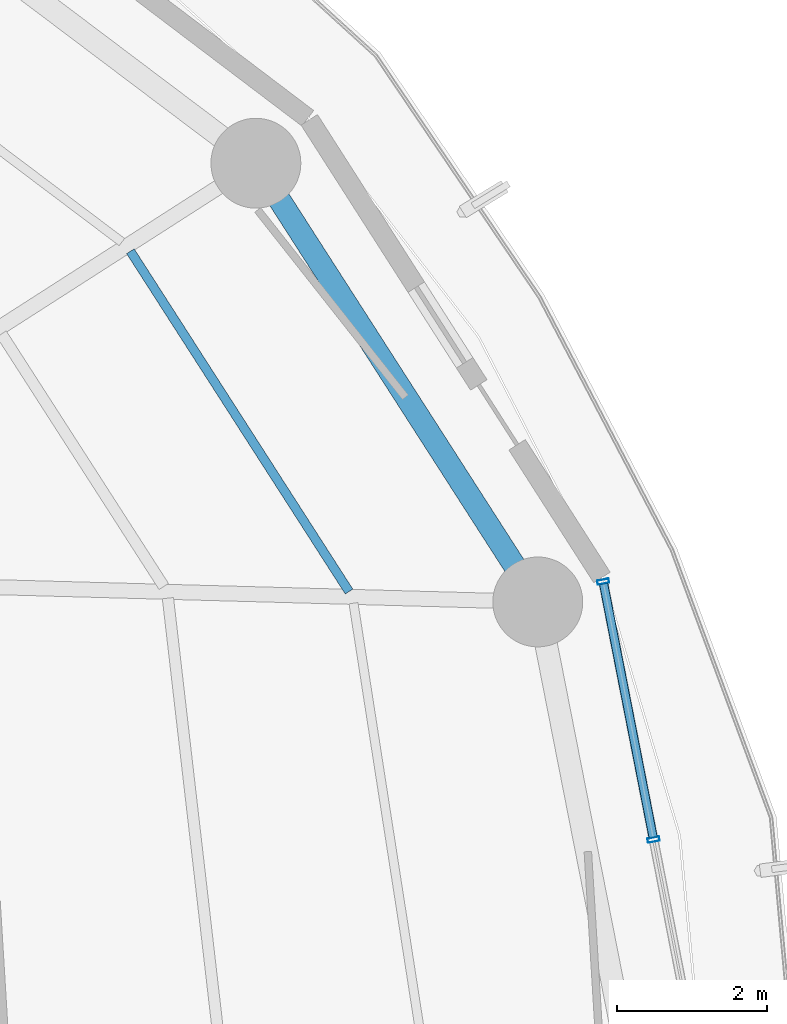
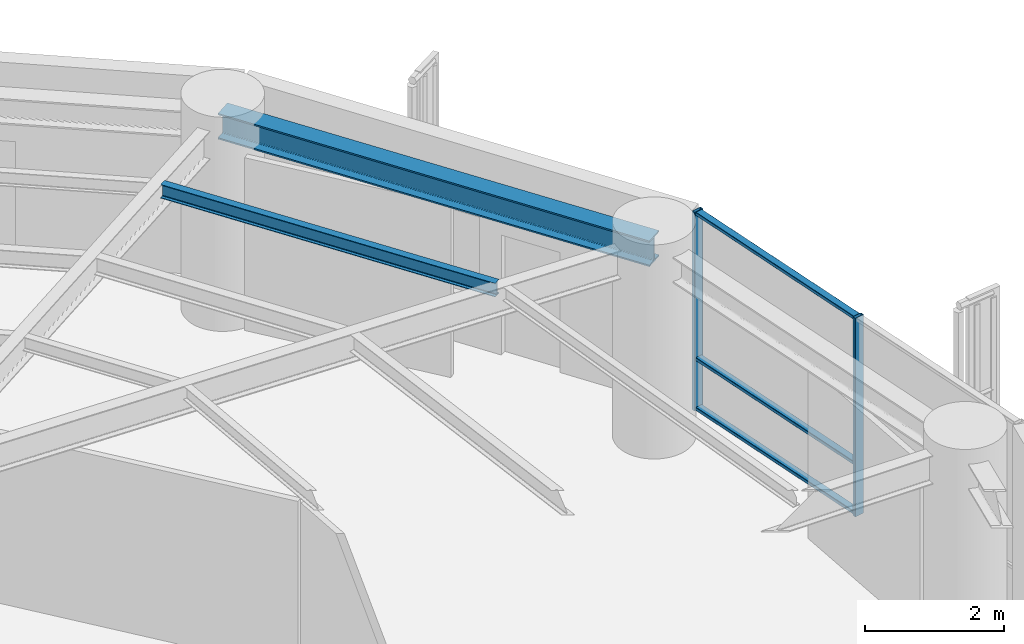
# One storey, part 15 of 27: 5 members, 2 beams, 1 element without a shape of its own.
"""IFC4 building model written with IfcOpenShell, lengths in metres."""

import ifcopenshell
import ifcopenshell.guid

model = None  # the IFC model being written
_history = None  # IfcOwnerHistory: only IFC2X3 demands one
_inside = {}  # id of a spatial element -> (the spatial element, [elements in it])
_under = {}  # id of a project, library or spatial element -> (it, [spatial elements below it])
_declared = {}  # id of a project -> (the project, [libraries it declares])
_typed = {}  # id of a type object -> (the type object, [elements of that type])
_made_of = {}  # id of a material, layer set ... -> (it, [elements and type objects made of it])


def new_model(schema):
    """Start an empty IFC model of exactly this schema.

    Asked for "IFC4X3", IfcOpenShell would pick the latest addendum, in which some entities
    have other attributes; the version numbers below select the first issue.
    IFC2X3 requires an IfcOwnerHistory on every rooted entity: one is made here for all.
    """
    global model, _history
    if schema == "IFC4X3":
        model = ifcopenshell.file(schema_version=(4, 3, 0, 0))
    else:
        model = ifcopenshell.file(schema=schema)
    _inside.clear()
    _under.clear()
    _declared.clear()
    _typed.clear()
    _made_of.clear()
    _history = None
    if model.schema == "IFC2X3":
        org = make("IfcOrganization", Name="unknown")
        user = make(
            "IfcPersonAndOrganization",
            ThePerson=make("IfcPerson", FamilyName="unknown"),
            TheOrganization=org,
        )
        app = make(
            "IfcApplication",
            ApplicationDeveloper=org,
            Version="unknown",
            ApplicationFullName="unknown",
            ApplicationIdentifier="unknown",
        )
        _history = make(
            "IfcOwnerHistory",
            OwningUser=user,
            OwningApplication=app,
            ChangeAction="ADDED",
            CreationDate=0,
        )
    return model


def make(cls, **values):
    """One entity of the class cls with the attributes given. An attribute that is None is left unset."""
    return model.create_entity(
        cls, **{name: value for name, value in values.items() if value is not None}
    )


def rooted(cls, **values):
    """An entity with a GlobalId (a new one), such as an element, a storey or a relation."""
    return make(cls, GlobalId=ifcopenshell.guid.new(), OwnerHistory=_history, **values)


def si_unit(unit_type, name, prefix=None):
    """IfcSIUnit, for example si_unit("LENGTHUNIT", "METRE", prefix="MILLI")."""
    return make("IfcSIUnit", UnitType=unit_type, Prefix=prefix, Name=name)


def assignment(units):
    """IfcUnitAssignment: the units of a project."""
    return None if units is None else make("IfcUnitAssignment", Units=units)


def point(xyz):
    """IfcCartesianPoint."""
    return None if xyz is None else make("IfcCartesianPoint", Coordinates=xyz)


def direction(xyz):
    """IfcDirection."""
    return None if xyz is None else make("IfcDirection", DirectionRatios=xyz)


def frame(location, z_axis=None, x_axis=None):
    """IfcAxis2Placement3D, a coordinate frame: its origin and axes. An axis left out is left unset."""
    return make(
        "IfcAxis2Placement3D",
        Location=point(location),
        Axis=direction(z_axis),
        RefDirection=direction(x_axis),
    )


def frame_2d(location, x_axis=None):
    """IfcAxis2Placement2D, a coordinate frame in the plane: its origin and x axis."""
    return make(
        "IfcAxis2Placement2D", Location=point(location), RefDirection=direction(x_axis)
    )


def origin():
    """The frame at (0, 0, 0) with its axes left unset."""
    return frame((0.0, 0.0, 0.0))


def origin_2d():
    """The frame at (0, 0) in the plane with its x axis left unset."""
    return frame_2d((0.0, 0.0))


def place(relative_to, where):
    """IfcLocalPlacement: puts the frame where relative to a parent placement (None: the world)."""
    return make(
        "IfcLocalPlacement", PlacementRelTo=relative_to, RelativePlacement=where
    )


def context(
    kind, dimensions, precision=None, world=None, true_north=None, identifier=None
):
    """IfcGeometricRepresentationContext, for example the 3D "Model" context."""
    return make(
        "IfcGeometricRepresentationContext",
        ContextIdentifier=identifier,
        ContextType=kind,
        CoordinateSpaceDimension=dimensions,
        Precision=precision,
        WorldCoordinateSystem=world,
        TrueNorth=true_north,
    )


def subcontext(parent, identifier, kind, view, scale=None):
    """IfcGeometricRepresentationSubContext, for example "Body" below "Model"."""
    return make(
        "IfcGeometricRepresentationSubContext",
        ContextIdentifier=identifier,
        ContextType=kind,
        ParentContext=parent,
        TargetScale=scale,
        TargetView=view,
    )


def project(units=None, contexts=None):
    """IfcProject with its units and contexts."""
    return rooted(
        "IfcProject",
        Name="project",
        RepresentationContexts=contexts,
        UnitsInContext=assignment(units),
    )


def spatial(cls, under=None, at=None, **own):
    """A site, building, storey or space (cls), placed at a placement, below another one or the project."""
    s = rooted(cls, ObjectPlacement=at, **own)
    if under is not None:
        _under.setdefault(under.id(), (under, []))[1].append(s)
    return s


def profile(cls, at=None, kind="AREA", **sizes):
    """A parametric profile (cls). Its sizes go by their IFC names, for example OverallWidth=200.0."""
    return make(cls, ProfileType=kind, Position=at, **sizes)


def hollow_rectangle(**sizes):
    """IfcRectangleHollowProfileDef."""
    return profile("IfcRectangleHollowProfileDef", **sizes)


def i_section(**sizes):
    """IfcIShapeProfileDef."""
    return profile("IfcIShapeProfileDef", **sizes)


def extrude(swept, where, along, depth):
    """IfcExtrudedAreaSolid: the profile swept, set in the frame where, extruded along a direction by depth."""
    return make(
        "IfcExtrudedAreaSolid",
        SweptArea=swept,
        Position=where,
        ExtrudedDirection=direction(along),
        Depth=depth,
    )


def shape(context_of_items, identifier, shape_type, items):
    """IfcShapeRepresentation: the items that make up one representation, for example the "Body"."""
    return make(
        "IfcShapeRepresentation",
        ContextOfItems=context_of_items,
        RepresentationIdentifier=identifier,
        RepresentationType=shape_type,
        Items=items,
    )


def material(Name=None, Category=None):
    """IfcMaterial."""
    return make("IfcMaterial", Name=Name, Category=Category)


def layer(
    of_material, thickness, ventilated=None, Name=None, Category=None, Priority=None
):
    """IfcMaterialLayer: one layer of a wall or slab, of a material (None: an air gap)."""
    return make(
        "IfcMaterialLayer",
        Material=of_material,
        LayerThickness=thickness,
        IsVentilated=ventilated,
        Name=Name,
        Category=Category,
        Priority=Priority,
    )


def layer_set(layers, Name=None):
    """IfcMaterialLayerSet."""
    return make("IfcMaterialLayerSet", MaterialLayers=layers, LayerSetName=Name)


def material_profile(
    of_material, cross_section, Name=None, Category=None, Priority=None
):
    """IfcMaterialProfile: a cross section and its material."""
    return make(
        "IfcMaterialProfile",
        Name=Name,
        Material=of_material,
        Profile=cross_section,
        Priority=Priority,
        Category=Category,
    )


def profile_set(profiles, Name=None, composite=None):
    """IfcMaterialProfileSet."""
    return make(
        "IfcMaterialProfileSet",
        Name=Name,
        MaterialProfiles=profiles,
        CompositeProfile=composite,
    )


def made_of(thing, what):
    """Note that an element or type object is made of a material, layer set ...; save() writes the relation."""
    if what is not None:
        _made_of.setdefault(what.id(), (what, []))[1].append(thing)
    return thing


def type_object(cls, material=None, **own):
    """A type object (cls), such as IfcWallType, which elements share."""
    return made_of(rooted(cls, **own), material)


def element(
    cls,
    number,
    at=None,
    inside=None,
    cuts=None,
    type_object=None,
    material=None,
    context=None,
    identifier="Body",
    shape_type=None,
    held_by="IfcProductDefinitionShape",
    body=None,
    shapes=None,
    **own,
):
    """One element of the class cls, such as IfcWall. Its Tag is "e" and its number.

    at: its placement. inside: the storey or other place that contains it. cuts: it is an
    opening in that element (IfcRelVoidsElement). A single representation is given by context,
    identifier, shape_type and body (its items); several are given by shapes. held_by: the class
    of the entity that holds the representations. save() writes the other relations.
    """
    e = rooted(cls, Tag="e%d" % number, ObjectPlacement=at, **own)
    if body is not None:
        shapes = [shape(context, identifier, shape_type, body)]
    if shapes is not None:
        e.Representation = make(held_by, Representations=shapes)
    if inside is not None:
        _inside.setdefault(inside.id(), (inside, []))[1].append(e)
    if cuts is not None:
        rooted(
            "IfcRelVoidsElement", RelatingBuildingElement=cuts, RelatedOpeningElement=e
        )
    if type_object is not None:
        _typed.setdefault(type_object.id(), (type_object, []))[1].append(e)
    return made_of(e, material)


def aggregate(whole, parts):
    """IfcRelAggregates: a whole, such as a stair, and the parts it consists of."""
    return rooted("IfcRelAggregates", RelatingObject=whole, RelatedObjects=parts)


def save(model, path):
    """Write the relations noted so far, then the file.

    IfcRelAggregates (storeys below a building ...), IfcRelContainedInSpatialStructure (elements
    in a storey), IfcRelDefinesByType, IfcRelAssociatesMaterial and IfcRelDeclares: one each for
    every whole, place, type object, material and project.
    """
    for whole, parts in _under.values():
        aggregate(whole, parts)
    for where, things in _inside.values():
        rooted(
            "IfcRelContainedInSpatialStructure",
            RelatedElements=things,
            RelatingStructure=where,
        )
    for kind, things in _typed.values():
        rooted("IfcRelDefinesByType", RelatedObjects=things, RelatingType=kind)
    for what, things in _made_of.values():
        rooted("IfcRelAssociatesMaterial", RelatedObjects=things, RelatingMaterial=what)
    for by, libraries in _declared.values():
        rooted("IfcRelDeclares", RelatingContext=by, RelatedDefinitions=libraries)
    model.write(path)


model = new_model("IFC4")

# Units and contexts
model_context = context("Model", 3, precision=1e-05, world=origin(), true_north=direction((0.0, 1.0)))
body_context = subcontext(model_context, "Body", "Model", "MODEL_VIEW")
ifc_project = project(units=[si_unit("LENGTHUNIT", "METRE"), si_unit("AREAUNIT", "SQUARE_METRE"), si_unit("VOLUMEUNIT", "CUBIC_METRE"), si_unit("PLANEANGLEUNIT", "RADIAN"), si_unit("MASSUNIT", "GRAM", prefix="KILO")], contexts=[model_context])

# Site, building, storey
site_placement = place(None, origin())
site = spatial("IfcSite", under=ifc_project, at=site_placement, CompositionType="ELEMENT")
building_placement = place(site_placement, origin())
building = spatial("IfcBuilding", under=site, at=building_placement, Name="Kelanora Arch Commons", CompositionType="ELEMENT")
storey_placement = place(building_placement, frame((0.0, 0.0, 150.60009765625)))
storey = spatial("IfcBuildingStorey", under=building, at=storey_placement, Name="L38", CompositionType="ELEMENT", Elevation=150.60009765625)

# Beams
ifc_material_1 = material(Name="Steel S355", Category="steel")
ifc_material_profile_1 = material_profile(ifc_material_1, i_section(OverallWidth=0.1201171875, OverallDepth=0.239990234375, WebThickness=0.006103515625, FlangeThickness=0.009765625, FilletRadius=0.014892578125, at=origin_2d()), Name="IPE240")
ifc_profile_set_1 = profile_set([ifc_material_profile_1], Name="Steel S355")
beam_type_1 = type_object("IfcBeamType", Name="BM-JST-02", PredefinedType="JOIST", material=ifc_profile_set_1)
beam_1_placement = place(storey_placement, frame((91.85205078125, 64.801513671875, 3.369873046875), z_axis=(-0.540581678156, 0.841291536414, 0.0), x_axis=(-0.841291536414, -0.540581678156, 0.0)))
element("IfcBeam", 1, at=beam_1_placement, inside=storey, type_object=beam_type_1, Name="Secondary Chord Joist BJC-02 L38", PredefinedType="JOIST", context=body_context, shape_type="SweptSolid", body=[
    extrude(i_section(OverallWidth=0.1201171875, OverallDepth=0.239990234375, WebThickness=0.006103515625, FlangeThickness=0.009765625, FilletRadius=0.014892578125, at=origin_2d()), origin(), (0.0, 0.0, 1.0), 5.4013671875),
])
ifc_material_profile_2 = material_profile(ifc_material_1, i_section(OverallWidth=0.300048828125, OverallDepth=0.449951171875, WebThickness=0.013916015625, FlangeThickness=0.02587890625, FilletRadius=0.027099609375, at=origin_2d()), Name="HEB450")
ifc_profile_set_2 = profile_set([ifc_material_profile_2], Name="Steel S355")
beam_type_2 = type_object("IfcBeamType", Name="BM-SPN-Z3", PredefinedType="SPANDREL", material=ifc_profile_set_2)
beam_2_placement = place(storey_placement, frame((94.37255859375, 64.66259765625, 3.264892578125), z_axis=(-0.540576852469, 0.841294637196, 0.0), x_axis=(-0.841294637196, -0.540576852469, 0.0)))
element("IfcBeam", 2, at=beam_2_placement, inside=storey, type_object=beam_type_2, Name="Perimeter Spandrel Beam BS-02 L38", PredefinedType="SPANDREL", context=body_context, shape_type="SweptSolid", body=[
    extrude(i_section(OverallWidth=0.300048828125, OverallDepth=0.449951171875, WebThickness=0.013916015625, FlangeThickness=0.02587890625, FilletRadius=0.027099609375, at=origin_2d()), origin(), (0.0, 0.0, 1.0), 6.964111328125),
])

# Curtain wall, members
ifc_material_2 = material(Name="Terracotta ceramic-fritted low-E glass and aluminium", Category="masonry")
ifc_layer = layer(ifc_material_2, 0.175048828125)
ifc_layer_set = layer_set([ifc_layer], Name="Terracotta ceramic-fritted low-E glass and aluminium")
curtain_wall_type = type_object("IfcCurtainWallType", Name="CW-SYS-02", PredefinedType="NOTDEFINED", material=ifc_layer_set)
curtain_wall_placement = place(storey_placement, origin())
curtain_wall = element("IfcCurtainWall", 3, at=curtain_wall_placement, inside=storey, type_object=curtain_wall_type, Name="Unitised Curtain Wall L38-B00", PredefinedType="NOTDEFINED")
ifc_material_3 = material(Name="Powder-coated aluminium terracotta", Category="masonry")
ifc_material_profile_3 = material_profile(ifc_material_3, hollow_rectangle(XDim=0.159912109375, YDim=0.06005859375, WallThickness=0.0048828125, InnerFilletRadius=0.0048828125, OuterFilletRadius=0.010009765625, at=origin_2d()), Name="CWM160x60")
ifc_profile_set_3 = profile_set([ifc_material_profile_3], Name="Powder-coated aluminium terracotta")
member_type_1 = type_object("IfcMemberType", Name="CWM-STD", PredefinedType="MULLION", material=ifc_profile_set_3)
member_1_placement = place(storey_placement, frame((95.91845703125, 61.488525390625, 0.0), z_axis=(0.0, 0.0, 1.0), x_axis=(-0.981452557718, -0.191705182375, 0.0)))
member_1 = element("IfcMember", 4, at=member_1_placement, type_object=member_type_1, Name="CW-02 mullion 2", PredefinedType="MULLION", context=body_context, shape_type="SweptSolid", body=[
    extrude(hollow_rectangle(XDim=0.159912109375, YDim=0.06005859375, WallThickness=0.0048828125, InnerFilletRadius=0.0048828125, OuterFilletRadius=0.010009765625, at=origin_2d()), origin(), (0.0, 0.0, 1.0), 3.474853515625),
])
member_2_placement = place(storey_placement, frame((95.245849609375, 64.93310546875, 0.0), z_axis=(0.0, 0.0, 1.0), x_axis=(-0.981452557718, -0.191705182375, 0.0)))
member_2 = element("IfcMember", 5, at=member_2_placement, type_object=member_type_1, Name="CW-02 mullion 3", PredefinedType="MULLION", context=body_context, shape_type="SweptSolid", body=[
    extrude(hollow_rectangle(XDim=0.159912109375, YDim=0.06005859375, WallThickness=0.0048828125, InnerFilletRadius=0.0048828125, OuterFilletRadius=0.010009765625, at=origin_2d()), origin(), (0.0, 0.0, 1.0), 3.474853515625),
])
ifc_material_profile_4 = material_profile(ifc_material_3, hollow_rectangle(XDim=0.1201171875, YDim=0.06005859375, WallThickness=0.0048828125, InnerFilletRadius=0.0048828125, OuterFilletRadius=0.010009765625, at=origin_2d()), Name="CWT120x60")
ifc_profile_set_4 = profile_set([ifc_material_profile_4], Name="Powder-coated aluminium terracotta")
member_type_2 = type_object("IfcMemberType", Name="CWT-STD", PredefinedType="USERDEFINED", material=ifc_profile_set_4)
member_3_placement = place(storey_placement, frame((95.912841796875, 61.51806640625, 0.02978515625), z_axis=(-0.191731523726, 0.981447412147, 0.0), x_axis=(-0.981447412147, -0.191731523726, 0.0)))
member_3 = element("IfcMember", 6, at=member_3_placement, type_object=member_type_2, Name="CW-02 transom 2.1", ObjectType="TRANSOM", PredefinedType="USERDEFINED", context=body_context, shape_type="SweptSolid", body=[
    extrude(hollow_rectangle(XDim=0.1201171875, YDim=0.06005859375, WallThickness=0.0048828125, InnerFilletRadius=0.0048828125, OuterFilletRadius=0.010009765625, at=origin_2d()), origin(), (0.0, 0.0, 1.0), 3.449462890625),
])
member_4_placement = place(storey_placement, frame((95.912841796875, 61.51806640625, 0.89990234375), z_axis=(-0.191731523726, 0.981447412147, 0.0), x_axis=(-0.981447412147, -0.191731523726, 0.0)))
member_4 = element("IfcMember", 7, at=member_4_placement, type_object=member_type_2, Name="CW-02 transom 2.2", ObjectType="TRANSOM", PredefinedType="USERDEFINED", context=body_context, shape_type="SweptSolid", body=[
    extrude(hollow_rectangle(XDim=0.1201171875, YDim=0.06005859375, WallThickness=0.0048828125, InnerFilletRadius=0.0048828125, OuterFilletRadius=0.010009765625, at=origin_2d()), origin(), (0.0, 0.0, 1.0), 3.449462890625),
])
member_5_placement = place(storey_placement, frame((95.912841796875, 61.51806640625, 3.44482421875), z_axis=(-0.191731523726, 0.981447412147, 0.0), x_axis=(-0.981447412147, -0.191731523726, 0.0)))
member_5 = element("IfcMember", 8, at=member_5_placement, type_object=member_type_2, Name="CW-02 transom 2.3", ObjectType="TRANSOM", PredefinedType="USERDEFINED", context=body_context, shape_type="SweptSolid", body=[
    extrude(hollow_rectangle(XDim=0.1201171875, YDim=0.06005859375, WallThickness=0.0048828125, InnerFilletRadius=0.0048828125, OuterFilletRadius=0.010009765625, at=origin_2d()), origin(), (0.0, 0.0, 1.0), 3.449462890625),
])
aggregate(curtain_wall, [member_1, member_2, member_3, member_4, member_5])

save(model, "model.ifc")
